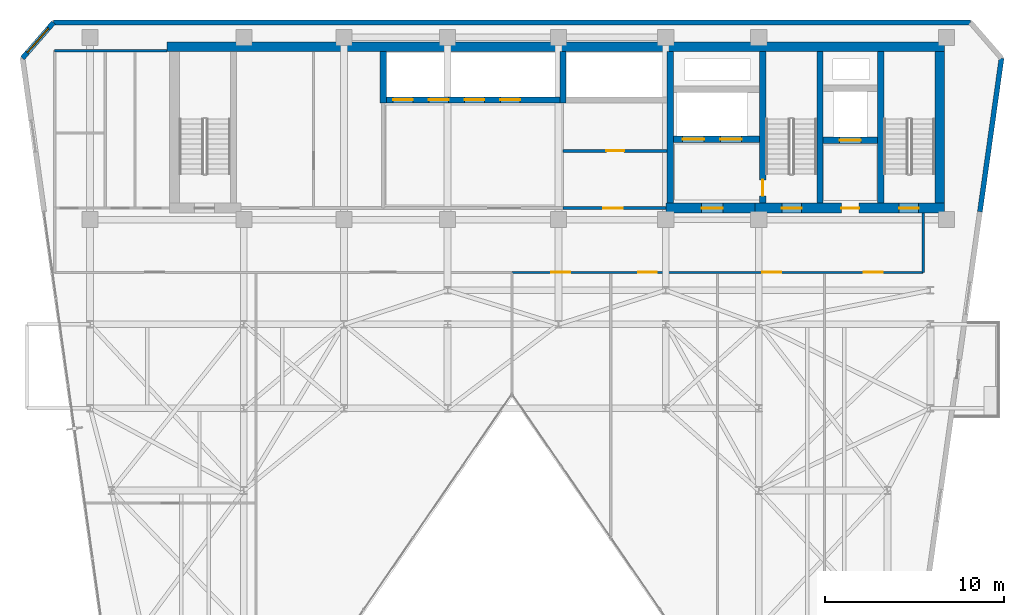
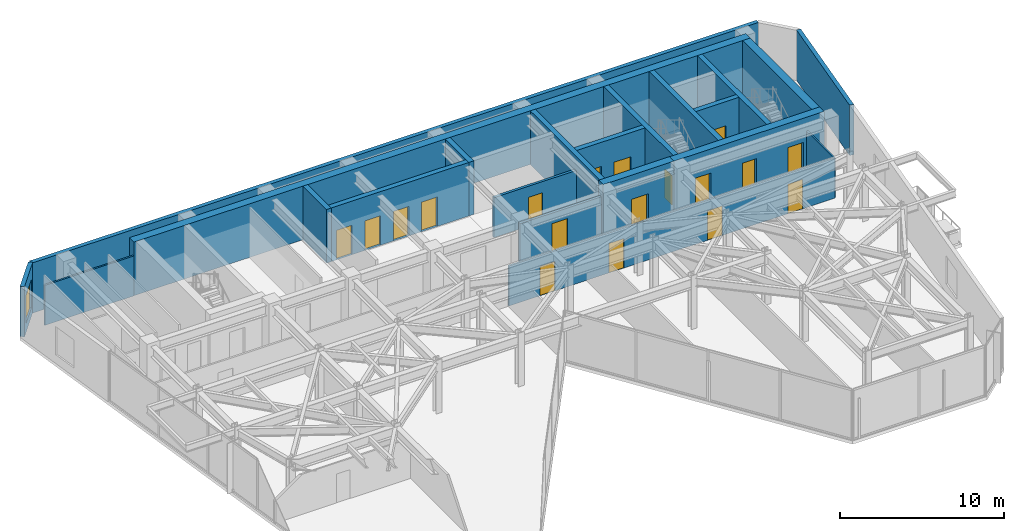
# One storey, part 23 of 26: 21 walls, 18 doors, 1 window, 19 openings.
"""IFC4 building model written with IfcOpenShell, lengths in metres."""

from ifc_helpers import new_model, si_unit, direction, frame, frame_2d, origin, place, context, subcontext, project, spatial, rectangle, extrude, material, layer, layer_set, type_object, element, fill, save


model = new_model("IFC4")

# Units and contexts
model_context = context("Model", 3, precision=1e-05, world=origin(), true_north=direction((0.0, 1.0)))
body_context = subcontext(model_context, "Body", "Model", "MODEL_VIEW")
ifc_project = project(units=[si_unit("LENGTHUNIT", "METRE"), si_unit("AREAUNIT", "SQUARE_METRE"), si_unit("VOLUMEUNIT", "CUBIC_METRE"), si_unit("PLANEANGLEUNIT", "RADIAN"), si_unit("MASSUNIT", "GRAM", prefix="KILO")], contexts=[model_context])

# Site, building, storey
site_placement = place(None, origin())
site = spatial("IfcSite", under=ifc_project, at=site_placement, CompositionType="ELEMENT")
building_placement = place(site_placement, origin())
building = spatial("IfcBuilding", under=site, at=building_placement, Name="Kravanh Interchange Tower", CompositionType="ELEMENT")
storey_placement = place(building_placement, frame((0.0, 0.0, 172.5)))
storey = spatial("IfcBuildingStorey", under=building, at=storey_placement, Name="L41", CompositionType="ELEMENT", Elevation=172.5)

# Wall
ifc_material_1 = material(Name="Double Acoustic Gypsum Board and Mineral Wool")
ifc_layer_1 = layer(ifc_material_1, 0.1201171875)
ifc_layer_set_1 = layer_set([ifc_layer_1], Name="Acoustic Office Drywall Partition 120mm")
wall_type_1 = type_object("IfcWallType", Name="Acoustic Office Drywall Partition 120mm", PredefinedType="PARTITIONING", material=ifc_layer_set_1)
wall_1_placement = place(storey_placement, frame((16.6201171875, 46.800048828125, 0.0), z_axis=(0.0, 0.0, 1.0), x_axis=(1.0, 0.0, 0.0)))
element("IfcWall", 1, at=wall_1_placement, inside=storey, type_object=wall_type_1, Name="L41 Restroom North Enclosure 9", PredefinedType="PARTITIONING", context=body_context, shape_type="SweptSolid", body=[
    extrude(rectangle(XDim=6.27978515625, YDim=0.1201171875, at=frame_2d((3.139892578125, 0.0))), origin(), (0.0, 0.0, 1.0), 2.98193359375),
])

# Wall, openings, doors
wall_2_placement = place(storey_placement, frame((42.199951171875, 34.39990234375, 0.0), z_axis=(0.0, 0.0, 1.0), x_axis=(1.0, 0.0, 0.0)))
wall_2 = element("IfcWall", 2, at=wall_2_placement, inside=storey, type_object=wall_type_1, Name="L41 Interior Partition 14", PredefinedType="PARTITIONING", context=body_context, shape_type="SweptSolid", body=[
    extrude(rectangle(XDim=23.0, YDim=0.1201171875, at=frame_2d((11.5, 0.0))), origin(), (0.0, 0.0, 1.0), 2.98193359375),
])
opening_1_placement = place(wall_2_placement, frame((2.194580078125, 0.0, 0.0)))
opening_1 = element("IfcOpeningElement", 3, at=opening_1_placement, cuts=wall_2, Name="Opening D-105", PredefinedType="OPENING", context=body_context, shape_type="SweptSolid", body=[
    extrude(rectangle(XDim=1.050048828125, YDim=2.199951171875, at=frame_2d((0.52490234375, 1.10009765625))), frame((0.0, 0.070068359375, 0.0), z_axis=(0.0, -1.0, 0.0), x_axis=(1.0, 0.0, 0.0)), (0.0, 0.0, 1.0), 0.14013671875),
])
opening_2_placement = place(wall_2_placement, frame((7.05859375, 0.0, 0.0)))
opening_2 = element("IfcOpeningElement", 4, at=opening_2_placement, cuts=wall_2, Name="Opening D-105", PredefinedType="OPENING", context=body_context, shape_type="SweptSolid", body=[
    extrude(rectangle(XDim=1.050048828125, YDim=2.199951171875, at=frame_2d((0.52490234375, 1.10009765625))), frame((0.0, 0.070068359375, 0.0), z_axis=(0.0, -1.0, 0.0), x_axis=(1.0, 0.0, 0.0)), (0.0, 0.0, 1.0), 0.14013671875),
])
opening_3_placement = place(wall_2_placement, frame((14.00537109375, 0.0, 0.0)))
opening_3 = element("IfcOpeningElement", 5, at=opening_3_placement, cuts=wall_2, Name="Opening D-105", PredefinedType="OPENING", context=body_context, shape_type="SweptSolid", body=[
    extrude(rectangle(XDim=1.050048828125, YDim=2.199951171875, at=frame_2d((0.52490234375, 1.10009765625))), frame((0.0, 0.070068359375, 0.0), z_axis=(0.0, -1.0, 0.0), x_axis=(1.0, 0.0, 0.0)), (0.0, 0.0, 1.0), 0.14013671875),
])
opening_4_placement = place(wall_2_placement, frame((19.674560546875, 0.0, 0.0)))
opening_4 = element("IfcOpeningElement", 6, at=opening_4_placement, cuts=wall_2, Name="Opening D-105", PredefinedType="OPENING", context=body_context, shape_type="SweptSolid", body=[
    extrude(rectangle(XDim=1.050048828125, YDim=2.199951171875, at=frame_2d((0.52490234375, 1.10009765625))), frame((0.0, 0.070068359375, 0.0), z_axis=(0.0, -1.0, 0.0), x_axis=(1.0, 0.0, 0.0)), (0.0, 0.0, 1.0), 0.14013671875),
])
ifc_material_2 = material(Name="Acoustic Glazed Oak and Aluminium", Category="aluminium")
door_type_1 = type_object("IfcDoorType", Name="Office Workplace Door 1050x2200", OperationType="NOTDEFINED", PredefinedType="DOOR", material=ifc_material_2)
door_1_placement = place(opening_1_placement, origin())
door_1 = element("IfcDoor", 7, at=door_1_placement, inside=storey, type_object=door_type_1, Name="L41 Panorama Club Lounge Door", OperationType="SINGLE_SWING_LEFT", OverallHeight=2.199951171875, OverallWidth=1.050048828125, PredefinedType="DOOR", context=body_context, shape_type="SweptSolid", body=[
    extrude(rectangle(XDim=1.050048828125, YDim=2.199951171875, at=frame_2d((0.52490234375, 1.10009765625))), frame((0.0, 0.02490234375, 0.0), z_axis=(0.0, -1.0, 0.0), x_axis=(1.0, 0.0, 0.0)), (0.0, 0.0, 1.0), 0.050048828125),
])
fill(opening_1, door_1)
door_2_placement = place(opening_2_placement, origin())
door_2 = element("IfcDoor", 8, at=door_2_placement, inside=storey, type_object=door_type_1, Name="L41 Quiet Study B Door", OperationType="SINGLE_SWING_RIGHT", OverallHeight=2.199951171875, OverallWidth=1.050048828125, PredefinedType="DOOR", context=body_context, shape_type="SweptSolid", body=[
    extrude(rectangle(XDim=1.050048828125, YDim=2.199951171875, at=frame_2d((0.52490234375, 1.10009765625))), frame((0.0, 0.02490234375, 0.0), z_axis=(0.0, -1.0, 0.0), x_axis=(1.0, 0.0, 0.0)), (0.0, 0.0, 1.0), 0.050048828125),
])
fill(opening_2, door_2)
door_3_placement = place(opening_3_placement, origin())
door_3 = element("IfcDoor", 9, at=door_3_placement, inside=storey, type_object=door_type_1, Name="L41 Reference Library Study C Door", OperationType="SINGLE_SWING_LEFT", OverallHeight=2.199951171875, OverallWidth=1.050048828125, PredefinedType="DOOR", context=body_context, shape_type="SweptSolid", body=[
    extrude(rectangle(XDim=1.050048828125, YDim=2.199951171875, at=frame_2d((0.52490234375, 1.10009765625))), frame((0.0, 0.02490234375, 0.0), z_axis=(0.0, -1.0, 0.0), x_axis=(1.0, 0.0, 0.0)), (0.0, 0.0, 1.0), 0.050048828125),
])
fill(opening_3, door_3)
door_4_placement = place(opening_4_placement, origin())
door_4 = element("IfcDoor", 10, at=door_4_placement, inside=storey, type_object=door_type_1, Name="L41 East Balcony Office Door", OperationType="SINGLE_SWING_RIGHT", OverallHeight=2.199951171875, OverallWidth=1.050048828125, PredefinedType="DOOR", context=body_context, shape_type="SweptSolid", body=[
    extrude(rectangle(XDim=1.050048828125, YDim=2.199951171875, at=frame_2d((0.52490234375, 1.10009765625))), frame((0.0, 0.02490234375, 0.0), z_axis=(0.0, -1.0, 0.0), x_axis=(1.0, 0.0, 0.0)), (0.0, 0.0, 1.0), 0.050048828125),
])
fill(opening_4, door_4)

# Walls
wall_3_placement = place(storey_placement, frame((65.199951171875, 34.39990234375, 0.0), z_axis=(0.0, 0.0, 1.0), x_axis=(0.0, 1.0, 0.0)))
element("IfcWall", 11, at=wall_3_placement, inside=storey, type_object=wall_type_1, Name="L41 Interior Partition 16", PredefinedType="PARTITIONING", context=body_context, shape_type="SweptSolid", body=[
    extrude(rectangle(XDim=3.317138671875, YDim=0.1201171875, at=frame_2d((1.65869140625, 0.0))), origin(), (0.0, 0.0, 1.0), 2.98193359375),
])
ifc_material_3 = material(Name="Concrete C60/75", Category="concrete")
ifc_layer_2 = layer(ifc_material_3, 0.35009765625)
ifc_layer_set_2 = layer_set([ifc_layer_2], Name="Core Shear Wall Concrete C60/75 350mm")
wall_type_2 = type_object("IfcWallType", Name="Core Shear Wall Concrete C60/75 350mm", PredefinedType="SHEAR", material=ifc_layer_set_2)
for number, where, z_axis, x_axis, name in (
    (12, (62.824951171875, 38.27490234375, 0.0), (0.0, 0.0, 1.0), (0.0, 1.0, 0.0), "L41 Stair ST1 West Shear Wall"),
    (13, (59.425048828125, 38.27490234375, 0.0), (0.0, 0.0, 1.0), (0.0, 1.0, 0.0), "L41 Stair ST2 East Shear Wall"),
):
    element("IfcWall", number, at=place(storey_placement, frame(where, z_axis=z_axis, x_axis=x_axis)), inside=storey, type_object=wall_type_2, Name=name, PredefinedType="SHEAR", context=body_context, shape_type="SweptSolid", body=[
        extrude(rectangle(XDim=8.47509765625, YDim=0.35009765625, at=frame_2d((4.237548828125, 0.0))), origin(), (0.0, 0.0, 1.0), 4.0),
    ])

# Wall, opening, door
wall_4_placement = place(storey_placement, frame((56.22509765625, 38.27490234375, 0.0), z_axis=(0.0, 0.0, 1.0), x_axis=(0.0, 1.0, 0.0)))
wall_4 = element("IfcWall", 14, at=wall_4_placement, inside=storey, type_object=wall_type_2, Name="L41 Stair ST2 West Shear Wall", PredefinedType="SHEAR", context=body_context, shape_type="SweptSolid", body=[
    extrude(rectangle(XDim=8.47509765625, YDim=0.35009765625, at=frame_2d((4.237548828125, 0.0))), origin(), (0.0, 0.0, 1.0), 4.0),
])
opening_5_placement = place(wall_4_placement, frame((0.405029296875, 0.0, 0.0)))
opening_5 = element("IfcOpeningElement", 15, at=opening_5_placement, cuts=wall_4, Name="Opening D-STAIR-90", PredefinedType="OPENING", context=body_context, shape_type="SweptSolid", body=[
    extrude(rectangle(XDim=0.89990234375, YDim=2.14990234375, at=frame_2d((0.449951171875, 1.074951171875))), frame((0.0, 0.18505859375, 0.0), z_axis=(0.0, -1.0, 0.0), x_axis=(1.0, 0.0, 0.0)), (0.0, 0.0, 1.0), 0.3701171875),
])
ifc_material_4 = material(Name="Structural Steel S355", Category="steel")
door_type_2 = type_object("IfcDoorType", Name="Fire-Rated Stair Lobby Door 900x2150", OperationType="NOTDEFINED", PredefinedType="DOOR", material=ifc_material_4)
door_5_placement = place(opening_5_placement, origin())
door_5 = element("IfcDoor", 16, at=door_5_placement, inside=storey, type_object=door_type_2, Name="L41 Firefighting Lobby to Stair ST2 Door", OperationType="SINGLE_SWING_LEFT", OverallHeight=2.14990234375, OverallWidth=0.89990234375, PredefinedType="DOOR", context=body_context, shape_type="SweptSolid", body=[
    extrude(rectangle(XDim=0.89990234375, YDim=2.14990234375, at=frame_2d((0.449951171875, 1.074951171875))), frame((0.0, 0.02490234375, 0.0), z_axis=(0.0, -1.0, 0.0), x_axis=(1.0, 0.0, 0.0)), (0.0, 0.0, 1.0), 0.050048828125),
])
fill(opening_5, door_5)

wall_5_placement = place(storey_placement, frame((59.60009765625, 41.800048828125, 0.0), z_axis=(0.0, 0.0, 1.0), x_axis=(1.0, 0.0, 0.0)))
wall_5 = element("IfcWall", 17, at=wall_5_placement, inside=storey, type_object=wall_type_2, Name="L41 Service Lift Shaft South Wall", PredefinedType="SHEAR", context=body_context, shape_type="SweptSolid", body=[
    extrude(rectangle(XDim=3.0498046875, YDim=0.35009765625, at=frame_2d((1.52490234375, 0.0))), origin(), (0.0, 0.0, 1.0), 4.0),
])
opening_6_placement = place(wall_5_placement, frame((0.919921875, 0.0, 0.0)))
opening_6 = element("IfcOpeningElement", 18, at=opening_6_placement, cuts=wall_5, Name="Opening LD02", PredefinedType="OPENING", context=body_context, shape_type="SweptSolid", body=[
    extrude(rectangle(XDim=1.199951171875, YDim=2.199951171875, at=frame_2d((0.60009765625, 1.10009765625))), frame((0.0, 0.18505859375, 0.0), z_axis=(0.0, -1.0, 0.0), x_axis=(1.0, 0.0, 0.0)), (0.0, 0.0, 1.0), 0.3701171875),
])
ifc_material_5 = material(Name="Stainless Steel 316", Category="steel")
door_type_3 = type_object("IfcDoorType", Name="Fire and Service Lift Sliding Landing Door 1200x2200", OperationType="DOUBLE_DOOR_SLIDING", PredefinedType="DOOR", material=ifc_material_5)
door_6_placement = place(opening_6_placement, origin())
door_6 = element("IfcDoor", 19, at=door_6_placement, inside=storey, type_object=door_type_3, Name="L41 Lift LS-01 Landing Door", OperationType="DOUBLE_DOOR_SLIDING", OverallHeight=2.199951171875, OverallWidth=1.199951171875, PredefinedType="DOOR", context=body_context, shape_type="SweptSolid", body=[
    extrude(rectangle(XDim=1.199951171875, YDim=2.199951171875, at=frame_2d((0.60009765625, 1.10009765625))), frame((0.0, 0.02490234375, 0.0), z_axis=(0.0, -1.0, 0.0), x_axis=(1.0, 0.0, 0.0)), (0.0, 0.0, 1.0), 0.050048828125),
])
fill(opening_6, door_6)

# Wall, openings, doors
wall_6_placement = place(storey_placement, frame((51.22509765625, 41.85009765625, 0.0), z_axis=(0.0, 0.0, 1.0), x_axis=(1.0, 0.0, 0.0)))
wall_6 = element("IfcWall", 20, at=wall_6_placement, inside=storey, type_object=wall_type_2, Name="L41 Fire Lift Shaft South Wall", PredefinedType="SHEAR", context=body_context, shape_type="SweptSolid", body=[
    extrude(rectangle(XDim=4.824951171875, YDim=0.35009765625, at=frame_2d((2.41259765625, 0.0))), origin(), (0.0, 0.0, 1.0), 4.0),
])
opening_7_placement = place(wall_6_placement, frame((0.52490234375, 0.0, 0.0)))
opening_7 = element("IfcOpeningElement", 21, at=opening_7_placement, cuts=wall_6, Name="Opening LD02", PredefinedType="OPENING", context=body_context, shape_type="SweptSolid", body=[
    extrude(rectangle(XDim=1.199951171875, YDim=2.199951171875, at=frame_2d((0.60009765625, 1.10009765625))), frame((0.0, 0.18505859375, 0.0), z_axis=(0.0, -1.0, 0.0), x_axis=(1.0, 0.0, 0.0)), (0.0, 0.0, 1.0), 0.3701171875),
])
opening_8_placement = place(wall_6_placement, frame((2.625, 0.0, 0.0)))
opening_8 = element("IfcOpeningElement", 22, at=opening_8_placement, cuts=wall_6, Name="Opening LD02", PredefinedType="OPENING", context=body_context, shape_type="SweptSolid", body=[
    extrude(rectangle(XDim=1.199951171875, YDim=2.199951171875, at=frame_2d((0.60009765625, 1.10009765625))), frame((0.0, 0.18505859375, 0.0), z_axis=(0.0, -1.0, 0.0), x_axis=(1.0, 0.0, 0.0)), (0.0, 0.0, 1.0), 0.3701171875),
])
door_7_placement = place(opening_7_placement, origin())
door_7 = element("IfcDoor", 23, at=door_7_placement, inside=storey, type_object=door_type_3, Name="L41 Lift FSAE-01 Landing Door", OperationType="DOUBLE_DOOR_SLIDING", OverallHeight=2.199951171875, OverallWidth=1.199951171875, PredefinedType="DOOR", context=body_context, shape_type="SweptSolid", body=[
    extrude(rectangle(XDim=1.199951171875, YDim=2.199951171875, at=frame_2d((0.60009765625, 1.10009765625))), frame((0.0, 0.02490234375, 0.0), z_axis=(0.0, -1.0, 0.0), x_axis=(1.0, 0.0, 0.0)), (0.0, 0.0, 1.0), 0.050048828125),
])
fill(opening_7, door_7)
door_8_placement = place(opening_8_placement, origin())
door_8 = element("IfcDoor", 24, at=door_8_placement, inside=storey, type_object=door_type_3, Name="L41 Lift FSAE-02 Landing Door", OperationType="DOUBLE_DOOR_SLIDING", OverallHeight=2.199951171875, OverallWidth=1.199951171875, PredefinedType="DOOR", context=body_context, shape_type="SweptSolid", body=[
    extrude(rectangle(XDim=1.199951171875, YDim=2.199951171875, at=frame_2d((0.60009765625, 1.10009765625))), frame((0.0, 0.02490234375, 0.0), z_axis=(0.0, -1.0, 0.0), x_axis=(1.0, 0.0, 0.0)), (0.0, 0.0, 1.0), 0.050048828125),
])
fill(opening_8, door_8)

# Walls
wall_7_placement = place(storey_placement, frame((51.050048828125, 38.27490234375, 0.0), z_axis=(0.0, 0.0, 1.0), x_axis=(0.0, 1.0, 0.0)))
element("IfcWall", 25, at=wall_7_placement, inside=storey, type_object=wall_type_2, Name="L41 Firefighting Lobby West Wall", PredefinedType="SHEAR", context=body_context, shape_type="SweptSolid", body=[
    extrude(rectangle(XDim=8.47509765625, YDim=0.35009765625, at=frame_2d((4.237548828125, 0.0))), origin(), (0.0, 0.0, 1.0), 4.0),
])
wall_8_placement = place(storey_placement, frame((45.050048828125, 43.875, 0.0), z_axis=(0.0, 0.0, 1.0), x_axis=(0.0, 1.0, 0.0)))
element("IfcWall", 26, at=wall_8_placement, inside=storey, type_object=wall_type_2, Name="L41 High-Rise Lift Shaft West Wall", PredefinedType="SHEAR", context=body_context, shape_type="SweptSolid", body=[
    extrude(rectangle(XDim=2.875, YDim=0.35009765625, at=frame_2d((1.4375, 0.0))), origin(), (0.0, 0.0, 1.0), 4.0),
])

# Wall, openings, doors
wall_9_placement = place(storey_placement, frame((35.175048828125, 44.050048828125, 0.0), z_axis=(0.0, 0.0, 1.0), x_axis=(1.0, 0.0, 0.0)))
wall_9 = element("IfcWall", 27, at=wall_9_placement, inside=storey, type_object=wall_type_2, Name="L41 Mid-Rise Lift Shaft South Wall", PredefinedType="SHEAR", context=body_context, shape_type="SweptSolid", body=[
    extrude(rectangle(XDim=9.699951171875, YDim=0.35009765625, at=frame_2d((4.85009765625, 0.0))), origin(), (0.0, 0.0, 1.0), 4.0),
])
opening_9_placement = place(wall_9_placement, frame((0.375, 0.0, 0.0)))
opening_9 = element("IfcOpeningElement", 28, at=opening_9_placement, cuts=wall_9, Name="Opening LD01", PredefinedType="OPENING", context=body_context, shape_type="SweptSolid", body=[
    extrude(rectangle(XDim=1.10009765625, YDim=2.199951171875, at=frame_2d((0.550048828125, 1.10009765625))), frame((0.0, 0.18505859375, 0.0), z_axis=(0.0, -1.0, 0.0), x_axis=(1.0, 0.0, 0.0)), (0.0, 0.0, 1.0), 0.3701171875),
])
opening_10_placement = place(wall_9_placement, frame((2.375, 0.0, 0.0)))
opening_10 = element("IfcOpeningElement", 29, at=opening_10_placement, cuts=wall_9, Name="Opening LD01", PredefinedType="OPENING", context=body_context, shape_type="SweptSolid", body=[
    extrude(rectangle(XDim=1.10009765625, YDim=2.199951171875, at=frame_2d((0.550048828125, 1.10009765625))), frame((0.0, 0.18505859375, 0.0), z_axis=(0.0, -1.0, 0.0), x_axis=(1.0, 0.0, 0.0)), (0.0, 0.0, 1.0), 0.3701171875),
])
opening_11_placement = place(wall_9_placement, frame((4.375, 0.0, 0.0)))
opening_11 = element("IfcOpeningElement", 30, at=opening_11_placement, cuts=wall_9, Name="Opening LD01", PredefinedType="OPENING", context=body_context, shape_type="SweptSolid", body=[
    extrude(rectangle(XDim=1.10009765625, YDim=2.199951171875, at=frame_2d((0.550048828125, 1.10009765625))), frame((0.0, 0.18505859375, 0.0), z_axis=(0.0, -1.0, 0.0), x_axis=(1.0, 0.0, 0.0)), (0.0, 0.0, 1.0), 0.3701171875),
])
opening_12_placement = place(wall_9_placement, frame((6.375, 0.0, 0.0)))
opening_12 = element("IfcOpeningElement", 31, at=opening_12_placement, cuts=wall_9, Name="Opening LD01", PredefinedType="OPENING", context=body_context, shape_type="SweptSolid", body=[
    extrude(rectangle(XDim=1.10009765625, YDim=2.199951171875, at=frame_2d((0.550048828125, 1.10009765625))), frame((0.0, 0.18505859375, 0.0), z_axis=(0.0, -1.0, 0.0), x_axis=(1.0, 0.0, 0.0)), (0.0, 0.0, 1.0), 0.3701171875),
])
ifc_material_6 = material(Name="Stainless Steel 304", Category="steel")
door_type_4 = type_object("IfcDoorType", Name="Passenger Lift Sliding Landing Door 1100x2200", OperationType="DOUBLE_DOOR_SLIDING", PredefinedType="DOOR", material=ifc_material_6)
door_9_placement = place(opening_9_placement, origin())
door_9 = element("IfcDoor", 32, at=door_9_placement, inside=storey, type_object=door_type_4, Name="L41 Lift LP-M1 Landing Door", OperationType="DOUBLE_DOOR_SLIDING", OverallHeight=2.199951171875, OverallWidth=1.10009765625, PredefinedType="DOOR", context=body_context, shape_type="SweptSolid", body=[
    extrude(rectangle(XDim=1.10009765625, YDim=2.199951171875, at=frame_2d((0.550048828125, 1.10009765625))), frame((0.0, 0.02490234375, 0.0), z_axis=(0.0, -1.0, 0.0), x_axis=(1.0, 0.0, 0.0)), (0.0, 0.0, 1.0), 0.050048828125),
])
fill(opening_9, door_9)
door_10_placement = place(opening_10_placement, origin())
door_10 = element("IfcDoor", 33, at=door_10_placement, inside=storey, type_object=door_type_4, Name="L41 Lift LP-M2 Landing Door", OperationType="DOUBLE_DOOR_SLIDING", OverallHeight=2.199951171875, OverallWidth=1.10009765625, PredefinedType="DOOR", context=body_context, shape_type="SweptSolid", body=[
    extrude(rectangle(XDim=1.10009765625, YDim=2.199951171875, at=frame_2d((0.550048828125, 1.10009765625))), frame((0.0, 0.02490234375, 0.0), z_axis=(0.0, -1.0, 0.0), x_axis=(1.0, 0.0, 0.0)), (0.0, 0.0, 1.0), 0.050048828125),
])
fill(opening_10, door_10)
door_11_placement = place(opening_11_placement, origin())
door_11 = element("IfcDoor", 34, at=door_11_placement, inside=storey, type_object=door_type_4, Name="L41 Lift LP-M3 Landing Door", OperationType="DOUBLE_DOOR_SLIDING", OverallHeight=2.199951171875, OverallWidth=1.10009765625, PredefinedType="DOOR", context=body_context, shape_type="SweptSolid", body=[
    extrude(rectangle(XDim=1.10009765625, YDim=2.199951171875, at=frame_2d((0.550048828125, 1.10009765625))), frame((0.0, 0.02490234375, 0.0), z_axis=(0.0, -1.0, 0.0), x_axis=(1.0, 0.0, 0.0)), (0.0, 0.0, 1.0), 0.050048828125),
])
fill(opening_11, door_11)
door_12_placement = place(opening_12_placement, origin())
door_12 = element("IfcDoor", 35, at=door_12_placement, inside=storey, type_object=door_type_4, Name="L41 Lift LP-M4 Landing Door", OperationType="DOUBLE_DOOR_SLIDING", OverallHeight=2.199951171875, OverallWidth=1.10009765625, PredefinedType="DOOR", context=body_context, shape_type="SweptSolid", body=[
    extrude(rectangle(XDim=1.10009765625, YDim=2.199951171875, at=frame_2d((0.550048828125, 1.10009765625))), frame((0.0, 0.02490234375, 0.0), z_axis=(0.0, -1.0, 0.0), x_axis=(1.0, 0.0, 0.0)), (0.0, 0.0, 1.0), 0.050048828125),
])
fill(opening_12, door_12)

# Walls
wall_10_placement = place(storey_placement, frame((35.0, 43.875, 0.0), z_axis=(0.0, 0.0, 1.0), x_axis=(0.0, 1.0, 0.0)))
element("IfcWall", 36, at=wall_10_placement, inside=storey, type_object=wall_type_2, Name="L41 Mid-Rise Lift Shaft West Wall", PredefinedType="SHEAR", context=body_context, shape_type="SweptSolid", body=[
    extrude(rectangle(XDim=2.875, YDim=0.35009765625, at=frame_2d((1.4375, 0.0))), origin(), (0.0, 0.0, 1.0), 4.0),
])
ifc_material_7 = material(Name="Concrete C70/85", Category="concrete")
ifc_layer_3 = layer(ifc_material_7, 0.550048828125)
ifc_layer_set_3 = layer_set([ifc_layer_3], Name="Core Shear Wall Concrete C70/85 550mm")
wall_type_3 = type_object("IfcWallType", Name="Core Shear Wall Concrete C70/85 550mm", PredefinedType="SHEAR", material=ifc_layer_set_3)
wall_11_placement = place(storey_placement, frame((22.89990234375, 47.02490234375, 0.0), z_axis=(0.0, 0.0, 1.0), x_axis=(1.0, 0.0, 0.0)))
element("IfcWall", 37, at=wall_11_placement, inside=storey, type_object=wall_type_3, Name="L41 North Core Shear Wall", PredefinedType="SHEAR", context=body_context, shape_type="SweptSolid", body=[
    extrude(rectangle(XDim=43.5, YDim=0.550048828125, at=frame_2d((21.75, 0.0))), origin(), (0.0, 0.0, 1.0), 4.0),
])

# Wall, openings, doors
wall_12_placement = place(storey_placement, frame((55.800048828125, 38.0, 0.0), z_axis=(0.0, 0.0, 1.0), x_axis=(1.0, 0.0, 0.0)))
wall_12 = element("IfcWall", 38, at=wall_12_placement, inside=storey, type_object=wall_type_3, Name="L41 East Core South Shear Wall", PredefinedType="SHEAR", context=body_context, shape_type="SweptSolid", body=[
    extrude(rectangle(XDim=10.599853515625, YDim=0.550048828125, at=frame_2d((5.2998046875, 0.0))), origin(), (0.0, 0.0, 1.0), 4.0),
])
opening_13_placement = place(wall_12_placement, frame((1.5, 0.0, 0.0)))
opening_13 = element("IfcOpeningElement", 39, at=opening_13_placement, cuts=wall_12, Name="Opening D-STAIR-110", PredefinedType="OPENING", context=body_context, shape_type="SweptSolid", body=[
    extrude(rectangle(XDim=1.10009765625, YDim=2.199951171875, at=frame_2d((0.550048828125, 1.10009765625))), frame((0.0, 0.28515625, 0.0), z_axis=(0.0, -1.0, 0.0), x_axis=(1.0, 0.0, 0.0)), (0.0, 0.0, 1.0), 0.570068359375),
])
opening_14_placement = place(wall_12_placement, frame((4.820068359375, 0.0, 0.0)))
opening_14 = element("IfcOpeningElement", 40, at=opening_14_placement, cuts=wall_12, Name="Opening D-HOTEL-100", PredefinedType="OPENING", context=body_context, shape_type="SweptSolid", body=[
    extrude(rectangle(XDim=1.0, YDim=2.14990234375, at=frame_2d((0.5, 1.074951171875))), frame((0.0, 0.28515625, 0.0), z_axis=(0.0, -1.0, 0.0), x_axis=(1.0, 0.0, 0.0)), (0.0, 0.0, 1.0), 0.570068359375),
])
opening_15_placement = place(wall_12_placement, frame((8.050048828125, 0.0, 0.0)))
opening_15 = element("IfcOpeningElement", 41, at=opening_15_placement, cuts=wall_12, Name="Opening D-STAIR-110", PredefinedType="OPENING", context=body_context, shape_type="SweptSolid", body=[
    extrude(rectangle(XDim=1.10009765625, YDim=2.199951171875, at=frame_2d((0.550048828125, 1.10009765625))), frame((0.0, 0.28515625, 0.0), z_axis=(0.0, -1.0, 0.0), x_axis=(1.0, 0.0, 0.0)), (0.0, 0.0, 1.0), 0.570068359375),
])
ifc_material_8 = material(Name="Structural Steel S355", Category="steel")
door_type_5 = type_object("IfcDoorType", Name="Fire-Rated Exit Stair Door 1100x2200", OperationType="NOTDEFINED", PredefinedType="DOOR", material=ifc_material_8)
door_13_placement = place(opening_13_placement, origin())
door_13 = element("IfcDoor", 42, at=door_13_placement, inside=storey, type_object=door_type_5, Name="L41 Exit Stair ST2 Door", OperationType="SINGLE_SWING_RIGHT", OverallHeight=2.199951171875, OverallWidth=1.10009765625, PredefinedType="DOOR", context=body_context, shape_type="SweptSolid", body=[
    extrude(rectangle(XDim=1.10009765625, YDim=2.199951171875, at=frame_2d((0.550048828125, 1.10009765625))), frame((0.0, 0.02490234375, 0.0), z_axis=(0.0, -1.0, 0.0), x_axis=(1.0, 0.0, 0.0)), (0.0, 0.0, 1.0), 0.050048828125),
])
fill(opening_13, door_13)
door_14_placement = place(opening_15_placement, origin())
door_14 = element("IfcDoor", 43, at=door_14_placement, inside=storey, type_object=door_type_5, Name="L41 Exit Stair ST1 Door", OperationType="SINGLE_SWING_RIGHT", OverallHeight=2.199951171875, OverallWidth=1.10009765625, PredefinedType="DOOR", context=body_context, shape_type="SweptSolid", body=[
    extrude(rectangle(XDim=1.10009765625, YDim=2.199951171875, at=frame_2d((0.550048828125, 1.10009765625))), frame((0.0, 0.02490234375, 0.0), z_axis=(0.0, -1.0, 0.0), x_axis=(1.0, 0.0, 0.0)), (0.0, 0.0, 1.0), 0.050048828125),
])
fill(opening_15, door_14)
ifc_material_9 = material(Name="Fire-Rated Solid Timber Leaf", Category="wood")
door_type_6 = type_object("IfcDoorType", Name="Fire-Rated Suite Entrance Door 1000x2150", OperationType="NOTDEFINED", PredefinedType="DOOR", material=ifc_material_9)
door_15_placement = place(opening_14_placement, origin())
door_15 = element("IfcDoor", 44, at=door_15_placement, inside=storey, type_object=door_type_6, Name="L41 Service Lift Lobby Door", OperationType="SINGLE_SWING_RIGHT", OverallHeight=2.14990234375, OverallWidth=1.0, PredefinedType="DOOR", context=body_context, shape_type="SweptSolid", body=[
    extrude(rectangle(XDim=1.0, YDim=2.14990234375, at=frame_2d((0.5, 1.074951171875))), frame((0.0, 0.02490234375, 0.0), z_axis=(0.0, -1.0, 0.0), x_axis=(1.0, 0.0, 0.0)), (0.0, 0.0, 1.0), 0.050048828125),
])
fill(opening_14, door_15)

# Wall
wall_13_placement = place(storey_placement, frame((66.125, 38.27490234375, 0.0), z_axis=(0.0, 0.0, 1.0), x_axis=(0.0, 1.0, 0.0)))
element("IfcWall", 45, at=wall_13_placement, inside=storey, type_object=wall_type_3, Name="L41 Stair ST1 East Shear Wall", PredefinedType="SHEAR", context=body_context, shape_type="SweptSolid", body=[
    extrude(rectangle(XDim=8.47509765625, YDim=0.550048828125, at=frame_2d((4.237548828125, 0.0))), origin(), (0.0, 0.0, 1.0), 4.0),
])

# Wall, opening, door
wall_14_placement = place(storey_placement, frame((50.800048828125, 38.0, 0.0), z_axis=(0.0, 0.0, 1.0), x_axis=(1.0, 0.0, 0.0)))
wall_14 = element("IfcWall", 46, at=wall_14_placement, inside=storey, type_object=wall_type_3, Name="L41 Firefighting Lobby South Shear Wall", PredefinedType="SHEAR", context=body_context, shape_type="SweptSolid", body=[
    extrude(rectangle(XDim=5.0, YDim=0.550048828125, at=frame_2d((2.5, 0.0))), origin(), (0.0, 0.0, 1.0), 4.0),
])
opening_16_placement = place(wall_14_placement, frame((2.0, 0.0, 0.0)))
opening_16 = element("IfcOpeningElement", 47, at=opening_16_placement, cuts=wall_14, Name="Opening D-FSAE-120", PredefinedType="OPENING", context=body_context, shape_type="SweptSolid", body=[
    extrude(rectangle(XDim=1.199951171875, YDim=2.199951171875, at=frame_2d((0.60009765625, 1.10009765625))), frame((0.0, 0.28515625, 0.0), z_axis=(0.0, -1.0, 0.0), x_axis=(1.0, 0.0, 0.0)), (0.0, 0.0, 1.0), 0.570068359375),
])
ifc_material_10 = material(Name="Structural Steel S355", Category="steel")
door_type_7 = type_object("IfcDoorType", Name="Fire-Rated Refuge and FSAE Door 1200x2200", OperationType="NOTDEFINED", PredefinedType="DOOR", material=ifc_material_10)
door_16_placement = place(opening_16_placement, origin())
door_16 = element("IfcDoor", 48, at=door_16_placement, inside=storey, type_object=door_type_7, Name="L41 Firefighting Lobby Corridor Door", OperationType="SINGLE_SWING_RIGHT", OverallHeight=2.199951171875, OverallWidth=1.199951171875, PredefinedType="DOOR", context=body_context, shape_type="SweptSolid", body=[
    extrude(rectangle(XDim=1.199951171875, YDim=2.199951171875, at=frame_2d((0.60009765625, 1.10009765625))), frame((0.0, 0.02490234375, 0.0), z_axis=(0.0, -1.0, 0.0), x_axis=(1.0, 0.0, 0.0)), (0.0, 0.0, 1.0), 0.050048828125),
])
fill(opening_16, door_16)

# Wall, opening, window
ifc_material_11 = material(Name="Insulated Precast Concrete C40/50 with Bronze Cladding", Category="concrete")
ifc_layer_4 = layer(ifc_material_11, 0.280029296875)
ifc_layer_set_4 = layer_set([ifc_layer_4], Name="Exterior Insulated Concrete C40/50 Bronze Spandrel Wall 280mm")
wall_type_4 = type_object("IfcWallType", Name="Exterior Insulated Concrete C40/50 Bronze Spandrel Wall 280mm", PredefinedType="STANDARD", material=ifc_layer_set_4)
wall_15_placement = place(storey_placement, frame((14.818603515625, 46.3828125, 0.0), z_axis=(0.0, 0.0, 1.0), x_axis=(0.656071351282, 0.754698868442, 0.0)))
wall_15 = element("IfcWall", 49, at=wall_15_placement, inside=storey, type_object=wall_type_4, Name="L41 Exterior Wall 2", PredefinedType="STANDARD", context=body_context, shape_type="SweptSolid", body=[
    extrude(rectangle(XDim=2.646240234375, YDim=0.280029296875, at=frame_2d((1.3232421875, 0.0))), origin(), (0.0, 0.0, 1.0), 3.7548828125),
])
opening_17_placement = place(wall_15_placement, frame((0.41552734375, 0.0, 0.64990234375)))
opening_17 = element("IfcOpeningElement", 50, at=opening_17_placement, cuts=wall_15, Name="Opening WN-180X210", PredefinedType="OPENING", context=body_context, shape_type="SweptSolid", body=[
    extrude(rectangle(XDim=1.800048828125, YDim=2.10009765625, at=frame_2d((0.89990234375, 1.050048828125))), frame((0.0, 0.14990234375, 0.0), z_axis=(0.0, -1.0, 0.0), x_axis=(1.0, 0.0, 0.0)), (0.0, 0.0, 1.0), 0.300048828125),
])
ifc_material_12 = material(Name="Thermally Broken Bronze Aluminium and Low-E Glass", Category="aluminium")
window_type = type_object("IfcWindowType", Name="Tower Pier Window 1800x2100", PartitioningType="SINGLE_PANEL", PredefinedType="WINDOW", material=ifc_material_12)
window_placement = place(opening_17_placement, origin())
window = element("IfcWindow", 51, at=window_placement, inside=storey, type_object=window_type, Name="L41 Corner Window 2", OverallHeight=2.10009765625, OverallWidth=1.800048828125, PartitioningType="SINGLE_PANEL", PredefinedType="WINDOW", context=body_context, shape_type="SweptSolid", body=[
    extrude(rectangle(XDim=1.800048828125, YDim=2.10009765625, at=frame_2d((0.89990234375, 1.050048828125))), frame((0.0, 0.030029296875, 0.0), z_axis=(0.0, -1.0, 0.0), x_axis=(1.0, 0.0, 0.0)), (0.0, 0.0, 1.0), 0.06005859375),
])
fill(opening_17, window)

# Walls
wall_16_placement = place(storey_placement, frame((16.5546875, 48.3798828125, 0.0), z_axis=(0.0, 0.0, 1.0), x_axis=(1.0, 0.0, 0.0)))
element("IfcWall", 52, at=wall_16_placement, inside=storey, type_object=wall_type_4, Name="L41 Exterior Wall 3", PredefinedType="STANDARD", context=body_context, shape_type="SweptSolid", body=[
    extrude(rectangle(XDim=51.29052734375, YDim=0.280029296875, at=frame_2d((25.645263671875, 0.0))), origin(), (0.0, 0.0, 1.0), 3.7548828125),
])
wall_17_placement = place(storey_placement, frame((69.581298828125, 46.3828125, 0.0), z_axis=(0.0, 0.0, 1.0), x_axis=(-0.13918102754, -0.990266954701, 0.0)))
element("IfcWall", 53, at=wall_17_placement, inside=storey, type_object=wall_type_4, Name="L41 Exterior Wall 5", PredefinedType="STANDARD", context=body_context, shape_type="SweptSolid", body=[
    extrude(rectangle(XDim=8.667236328125, YDim=0.280029296875, at=frame_2d((4.33349609375, 0.0))), origin(), (0.0, 0.0, 1.0), 3.7548828125),
])

# Wall, opening, door
ifc_material_13 = material(Name="Autoclaved Aerated Concrete C30/37 Blockwork", Category="masonry")
ifc_layer_5 = layer(ifc_material_13, 0.179931640625)
ifc_layer_set_5 = layer_set([ifc_layer_5], Name="Fire-Rated Lobby and Corridor Wall Concrete C30/37 180mm")
wall_type_5 = type_object("IfcWallType", Name="Fire-Rated Lobby and Corridor Wall Concrete C30/37 180mm", PredefinedType="STANDARD", material=ifc_layer_set_5)
wall_18_placement = place(storey_placement, frame((45.050048828125, 38.0, 0.0), z_axis=(0.0, 0.0, 1.0), x_axis=(1.0, 0.0, 0.0)))
wall_18 = element("IfcWall", 54, at=wall_18_placement, inside=storey, type_object=wall_type_5, Name="L41 Core South Enclosure 1", PredefinedType="STANDARD", context=body_context, shape_type="SweptSolid", body=[
    extrude(rectangle(XDim=5.75, YDim=0.179931640625, at=frame_2d((2.875, 0.0))), origin(), (0.0, 0.0, 1.0), 2.98193359375),
])
opening_18_placement = place(wall_18_placement, frame((2.240478515625, 0.0, 0.0)))
opening_18 = element("IfcOpeningElement", 55, at=opening_18_placement, cuts=wall_18, Name="Opening D-SHAFT-110", PredefinedType="OPENING", context=body_context, shape_type="SweptSolid", body=[
    extrude(rectangle(XDim=1.10009765625, YDim=2.199951171875, at=frame_2d((0.550048828125, 1.10009765625))), frame((0.0, 0.10009765625, 0.0), z_axis=(0.0, -1.0, 0.0), x_axis=(1.0, 0.0, 0.0)), (0.0, 0.0, 1.0), 0.199951171875),
])
ifc_material_14 = material(Name="Fire-Rated Composite Timber Leaf", Category="wood")
door_type_8 = type_object("IfcDoorType", Name="Fire-Rated Core Support Door 1100x2200", OperationType="NOTDEFINED", PredefinedType="DOOR", material=ifc_material_14)
door_17_placement = place(opening_18_placement, origin())
door_17 = element("IfcDoor", 56, at=door_17_placement, inside=storey, type_object=door_type_8, Name="L41 Core Telecom Room Door", OperationType="SINGLE_SWING_LEFT", OverallHeight=2.199951171875, OverallWidth=1.10009765625, PredefinedType="DOOR", context=body_context, shape_type="SweptSolid", body=[
    extrude(rectangle(XDim=1.10009765625, YDim=2.199951171875, at=frame_2d((0.550048828125, 1.10009765625))), frame((0.0, 0.02490234375, 0.0), z_axis=(0.0, -1.0, 0.0), x_axis=(1.0, 0.0, 0.0)), (0.0, 0.0, 1.0), 0.050048828125),
])
fill(opening_18, door_17)

wall_19_placement = place(storey_placement, frame((45.050048828125, 41.199951171875, 0.0), z_axis=(0.0, 0.0, 1.0), x_axis=(1.0, 0.0, 0.0)))
wall_19 = element("IfcWall", 57, at=wall_19_placement, inside=storey, type_object=wall_type_5, Name="L41 Interior Partition 2", PredefinedType="STANDARD", context=body_context, shape_type="SweptSolid", body=[
    extrude(rectangle(XDim=5.81689453125, YDim=0.179931640625, at=frame_2d((2.908447265625, 0.0))), origin(), (0.0, 0.0, 1.0), 2.98193359375),
])
opening_19_placement = place(wall_19_placement, frame((2.425048828125, 0.0, 0.0)))
opening_19 = element("IfcOpeningElement", 58, at=opening_19_placement, cuts=wall_19, Name="Opening D-HOTEL-100", PredefinedType="OPENING", context=body_context, shape_type="SweptSolid", body=[
    extrude(rectangle(XDim=1.0, YDim=2.14990234375, at=frame_2d((0.5, 1.074951171875))), frame((0.0, 0.10009765625, 0.0), z_axis=(0.0, -1.0, 0.0), x_axis=(1.0, 0.0, 0.0)), (0.0, 0.0, 1.0), 0.199951171875),
])
door_18_placement = place(opening_19_placement, origin())
door_18 = element("IfcDoor", 59, at=door_18_placement, inside=storey, type_object=door_type_6, Name="L41 Core Telecom Inner Door", OperationType="SINGLE_SWING_RIGHT", OverallHeight=2.14990234375, OverallWidth=1.0, PredefinedType="DOOR", context=body_context, shape_type="SweptSolid", body=[
    extrude(rectangle(XDim=1.0, YDim=2.14990234375, at=frame_2d((0.5, 1.074951171875))), frame((0.0, 0.02490234375, 0.0), z_axis=(0.0, -1.0, 0.0), x_axis=(1.0, 0.0, 0.0)), (0.0, 0.0, 1.0), 0.050048828125),
])
fill(opening_19, door_18)

save(model, "model.ifc")
